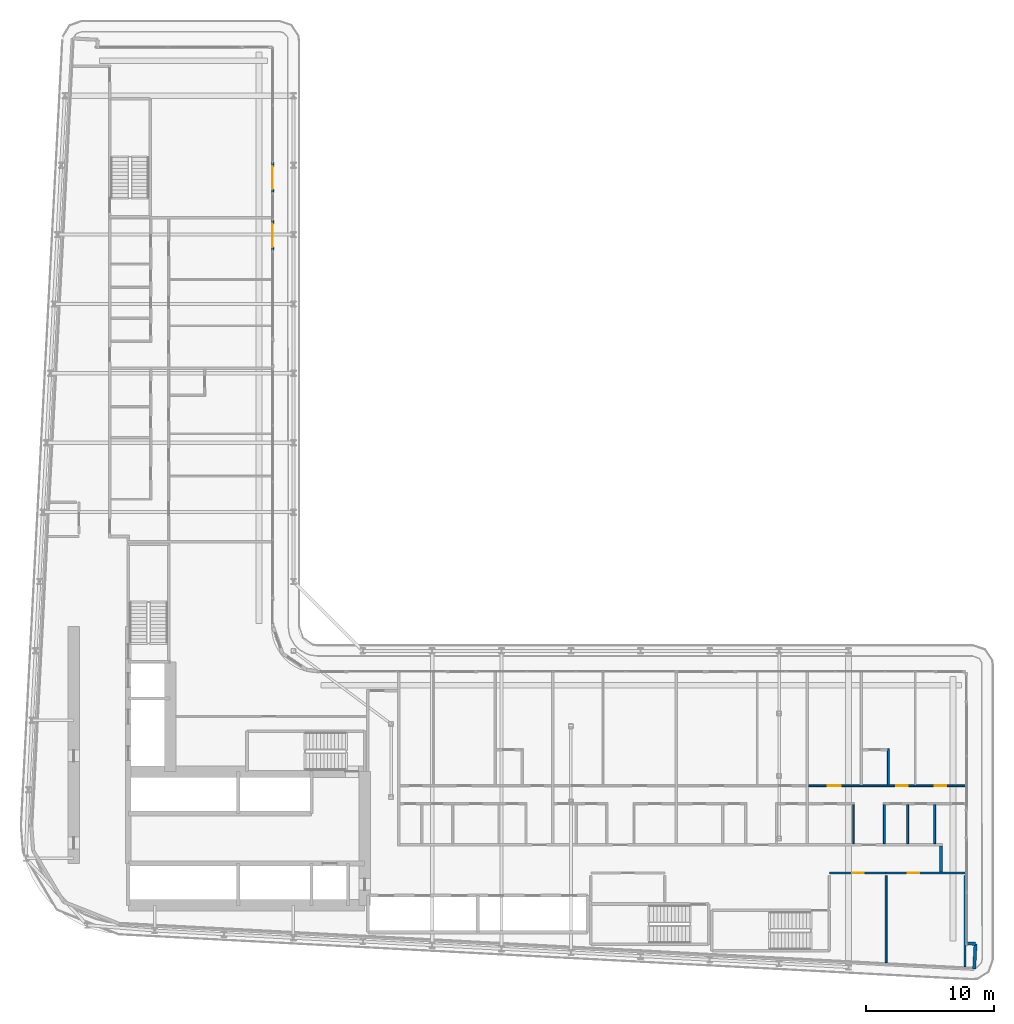
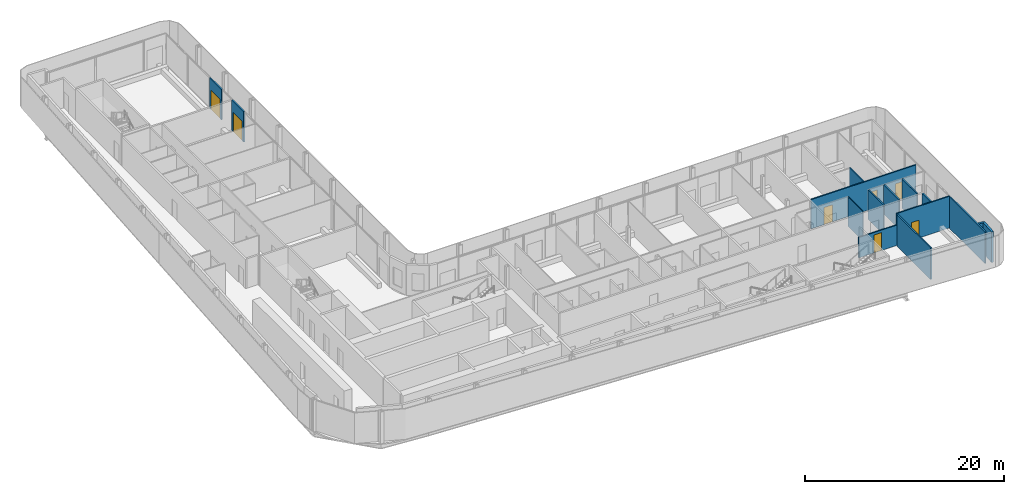
# One storey, part 17 of 26: 15 walls, 7 doors, 7 openings.
"""IFC4 building model written with IfcOpenShell, lengths in metres."""

from ifc_helpers import new_model, si_unit, direction, frame, frame_2d, origin, place, context, subcontext, project, spatial, rectangle, extrude, source, transform, mapped, material, layer, layer_set, type_object, element, fill, save


model = new_model("IFC4")

# Units and contexts
model_context = context("Model", 3, precision=1e-05, world=origin(), true_north=direction((0.0, 1.0)))
body_context = subcontext(model_context, "Body", "Model", "MODEL_VIEW")
ifc_project = project(units=[si_unit("LENGTHUNIT", "METRE"), si_unit("AREAUNIT", "SQUARE_METRE"), si_unit("VOLUMEUNIT", "CUBIC_METRE"), si_unit("PLANEANGLEUNIT", "RADIAN"), si_unit("MASSUNIT", "GRAM", prefix="KILO")], contexts=[model_context])

# Site, building, storey
site_placement = place(None, origin())
site = spatial("IfcSite", under=ifc_project, at=site_placement, CompositionType="ELEMENT")
building_placement = place(site_placement, origin())
building = spatial("IfcBuilding", under=site, at=building_placement, Name="Kheshtan School and Residences Tower", CompositionType="ELEMENT")
storey_placement = place(building_placement, frame((0.0, 0.0, 105.800048828125)))
storey = spatial("IfcBuildingStorey", under=building, at=storey_placement, Name="L24", CompositionType="ELEMENT", Elevation=105.800048828125)

# Walls
ifc_material_1 = material(Name="Gypsum board on steel studs with fire boards", Category="steel")
ifc_layer_1 = layer(ifc_material_1, 0.199951171875)
ifc_layer_set_1 = layer_set([ifc_layer_1], Name="Corridor wall 200")
wall_type_1 = type_object("IfcWallType", Name="Corridor wall 200", PredefinedType="PARTITIONING", material=ifc_layer_set_1)
wall_1_placement = place(storey_placement, frame((98.0, 28.3740234375, 0.0), z_axis=(0.0, 0.0, 1.0), x_axis=(0.0, 1.0, 0.0)))
element("IfcWall", 1, at=wall_1_placement, inside=storey, type_object=wall_type_1, Name="Partition L24-069", PredefinedType="PARTITIONING", context=body_context, shape_type="SweptSolid", body=[
    extrude(rectangle(XDim=2.02587890625, YDim=0.199951171875, at=frame_2d((1.012939453125, 0.0))), origin(), (0.0, 0.0, 1.0), 3.599853515625),
])
ifc_material_2 = material(Name="Concrete C40/50 with ceramic cladding and mineral wool insulation", Category="concrete")
ifc_layer_2 = layer(ifc_material_2, 0.25)
ifc_layer_set_2 = layer_set([ifc_layer_2], Name="External wall 250 ceramic clad")
wall_type_2 = type_object("IfcWallType", Name="External wall 250 ceramic clad", PredefinedType="SOLIDWALL", material=ifc_layer_set_2)
wall_2_placement = place(storey_placement, frame((99.906982421875, 22.839111328125, 0.0), z_axis=(0.0, 0.0, 1.0), x_axis=(0.998561284263, -0.053622398031, 0.0)))
element("IfcWall", 2, at=wall_2_placement, inside=storey, type_object=wall_type_2, Name="External wall L24 10", PredefinedType="SOLIDWALL", context=body_context, shape_type="SweptSolid", body=[
    extrude(rectangle(XDim=0.783203125, YDim=0.25, at=frame_2d((0.3916015625, 0.0))), origin(), (0.0, 0.0, 1.0), 3.75),
])
wall_3_placement = place(storey_placement, frame((100.68896484375, 22.797119140625, 0.0), z_axis=(0.0, 0.0, 1.0), x_axis=(-0.052841433274, -0.998602915542, 0.0)))
element("IfcWall", 3, at=wall_3_placement, inside=storey, type_object=wall_type_2, Name="External wall L24 11", PredefinedType="SOLIDWALL", context=body_context, shape_type="SweptSolid", body=[
    extrude(rectangle(XDim=1.94970703125, YDim=0.25, at=frame_2d((0.974853515625, 0.0))), origin(), (0.0, 0.0, 1.0), 3.75),
])

# Wall, opening, door
ifc_material_3 = material(Name="Aluminium frame wall with insulated infill", Category="aluminium")
ifc_layer_3 = layer(ifc_material_3, 0.14990234375)
ifc_layer_set_3 = layer_set([ifc_layer_3], Name="Glazing frame wall 150")
wall_type_3 = type_object("IfcWallType", Name="Glazing frame wall 150", PredefinedType="SOLIDWALL", material=ifc_layer_set_3)
wall_4_placement = place(storey_placement, frame((45.97509765625, 83.632080078125, 0.0), z_axis=(0.0, 0.0, 1.0), x_axis=(0.0, -1.0, 0.0)))
wall_4 = element("IfcWall", 4, at=wall_4_placement, inside=storey, type_object=wall_type_3, Name="Balcony door wall L24 4.1", PredefinedType="SOLIDWALL", context=body_context, shape_type="SweptSolid", body=[
    extrude(rectangle(XDim=2.399169921875, YDim=0.14990234375, at=frame_2d((1.19970703125, 0.0))), origin(), (0.0, 0.0, 1.0), 3.75),
])
opening_1_placement = place(wall_4_placement, frame((0.300048828125, 0.0, 0.0)))
opening_1 = element("IfcOpeningElement", 5, at=opening_1_placement, cuts=wall_4, Name="Opening BD", PredefinedType="OPENING", context=body_context, shape_type="SweptSolid", body=[
    extrude(rectangle(XDim=1.800048828125, YDim=2.39990234375, at=frame_2d((0.89990234375, 1.199951171875))), frame((0.0, 0.0849609375, 0.0), z_axis=(0.0, -1.0, 0.0), x_axis=(1.0, 0.0, 0.0)), (0.0, 0.0, 1.0), 0.169921875),
])
ifc_material_4 = material(Name="Clear low-e glass in thermally broken aluminium frame", Category="aluminium")
door_type_1 = type_object("IfcDoorType", Name="Balcony sliding door", OperationType="SLIDING_TO_LEFT", PredefinedType="DOOR", material=ifc_material_4)
shared_shape_1 = source(origin(), body_context, "Body", "SweptSolid", [
    extrude(rectangle(XDim=1.800048828125, YDim=2.39990234375, at=frame_2d((0.89990234375, 1.199951171875))), frame((0.0, 0.02490234375, 0.0), z_axis=(0.0, -1.0, 0.0), x_axis=(1.0, 0.0, 0.0)), (0.0, 0.0, 1.0), 0.050048828125),
])
door_1_placement = place(opening_1_placement, origin())
door_1 = element("IfcDoor", 6, at=door_1_placement, inside=storey, type_object=door_type_1, Name="Balcony door L24 4.1", OperationType="SLIDING_TO_LEFT", OverallHeight=2.39990234375, OverallWidth=1.800048828125, PredefinedType="DOOR", context=body_context, shape_type="MappedRepresentation", body=[
    mapped(shared_shape_1, transform((0.0, 0.0, 0.0), x_axis=(1.0, 0.0, 0.0), y_axis=(0.0, 1.0, 0.0), z_axis=(0.0, 0.0, 1.0), scale=1.0)),
])
fill(opening_1, door_1)

wall_5_placement = place(storey_placement, frame((45.97509765625, 79.132080078125, 0.0), z_axis=(0.0, 0.0, 1.0), x_axis=(0.0, -1.0, 0.0)))
wall_5 = element("IfcWall", 7, at=wall_5_placement, inside=storey, type_object=wall_type_3, Name="Balcony door wall L24 4.2", PredefinedType="SOLIDWALL", context=body_context, shape_type="SweptSolid", body=[
    extrude(rectangle(XDim=2.399169921875, YDim=0.14990234375, at=frame_2d((1.19970703125, 0.0))), origin(), (0.0, 0.0, 1.0), 3.75),
])
opening_2_placement = place(wall_5_placement, frame((0.300048828125, 0.0, 0.0)))
opening_2 = element("IfcOpeningElement", 8, at=opening_2_placement, cuts=wall_5, Name="Opening BD", PredefinedType="OPENING", context=body_context, shape_type="SweptSolid", body=[
    extrude(rectangle(XDim=1.800048828125, YDim=2.39990234375, at=frame_2d((0.89990234375, 1.199951171875))), frame((0.0, 0.0849609375, 0.0), z_axis=(0.0, -1.0, 0.0), x_axis=(1.0, 0.0, 0.0)), (0.0, 0.0, 1.0), 0.169921875),
])
door_2_placement = place(opening_2_placement, origin())
door_2 = element("IfcDoor", 9, at=door_2_placement, inside=storey, type_object=door_type_1, Name="Balcony door L24 4.2", OperationType="SLIDING_TO_LEFT", OverallHeight=2.39990234375, OverallWidth=1.800048828125, PredefinedType="DOOR", context=body_context, shape_type="MappedRepresentation", body=[
    mapped(shared_shape_1, transform((0.0, 0.0, 0.0), x_axis=(1.0, 0.0, 0.0), y_axis=(0.0, 1.0, 0.0), z_axis=(0.0, 0.0, 1.0), scale=1.0)),
])
fill(opening_2, door_2)

# Wall
ifc_material_5 = material(Name="Gypsum board on steel studs", Category="steel")
ifc_layer_4 = layer(ifc_material_5, 0.10009765625)
ifc_layer_set_4 = layer_set([ifc_layer_4], Name="Gypsum partition 100")
wall_type_4 = type_object("IfcWallType", Name="Gypsum partition 100", PredefinedType="PARTITIONING", material=ifc_layer_set_4)
wall_6_placement = place(storey_placement, frame((91.199951171875, 30.60009765625, 0.0), z_axis=(0.0, 0.0, 1.0), x_axis=(0.0, 1.0, 0.0)))
element("IfcWall", 10, at=wall_6_placement, inside=storey, type_object=wall_type_4, Name="Partition L24-060", PredefinedType="PARTITIONING", context=body_context, shape_type="SweptSolid", body=[
    extrude(rectangle(XDim=3.02490234375, YDim=0.10009765625, at=frame_2d((1.512451171875, 0.0))), origin(), (0.0, 0.0, 1.0), 3.599853515625),
])

# Wall, opening, door
ifc_material_6 = material(Name="Fire-board shaft wall system")
ifc_layer_5 = layer(ifc_material_6, 0.14990234375)
ifc_layer_set_5 = layer_set([ifc_layer_5], Name="Service room wall 150")
wall_type_5 = type_object("IfcWallType", Name="Service room wall 150", PredefinedType="PARTITIONING", material=ifc_layer_set_5)
wall_7_placement = place(storey_placement, frame((89.320068359375, 28.300048828125, 0.0), z_axis=(0.0, 0.0, 1.0), x_axis=(1.0, 0.0, 0.0)))
wall_7 = element("IfcWall", 11, at=wall_7_placement, inside=storey, type_object=wall_type_5, Name="Service room wall", PredefinedType="PARTITIONING", context=body_context, shape_type="SweptSolid", body=[
    extrude(rectangle(XDim=4.412841796875, YDim=0.14990234375, at=frame_2d((2.20654296875, 0.0))), origin(), (0.0, 0.0, 1.0), 2.5),
])
opening_3_placement = place(wall_7_placement, frame((1.756103515625, 0.0, 0.0)))
opening_3 = element("IfcOpeningElement", 12, at=opening_3_placement, cuts=wall_7, Name="Opening SR90", PredefinedType="OPENING", context=body_context, shape_type="SweptSolid", body=[
    extrude(rectangle(XDim=0.89990234375, YDim=2.199951171875, at=frame_2d((0.449951171875, 1.10009765625))), frame((0.0, 0.0849609375, 0.0), z_axis=(0.0, -1.0, 0.0), x_axis=(1.0, 0.0, 0.0)), (0.0, 0.0, 1.0), 0.169921875),
])
ifc_material_7 = material(Name="Steel door leaf, galvanised", Category="steel")
door_type_2 = type_object("IfcDoorType", Name="Service room door 900 steel 90 min", OperationType="SINGLE_SWING_LEFT", PredefinedType="DOOR", material=ifc_material_7)
shared_shape_2 = source(origin(), body_context, "Body", "SweptSolid", [
    extrude(rectangle(XDim=0.89990234375, YDim=2.199951171875, at=frame_2d((0.449951171875, 1.10009765625))), frame((0.0, 0.02490234375, 0.0), z_axis=(0.0, -1.0, 0.0), x_axis=(1.0, 0.0, 0.0)), (0.0, 0.0, 1.0), 0.050048828125),
])
door_3_placement = place(opening_3_placement, origin())
door_3 = element("IfcDoor", 13, at=door_3_placement, inside=storey, type_object=door_type_2, Name="Service room door", OperationType="SINGLE_SWING_LEFT", OverallHeight=2.199951171875, OverallWidth=0.89990234375, PredefinedType="DOOR", context=body_context, shape_type="MappedRepresentation", body=[
    mapped(shared_shape_2, transform((0.0, 0.0, 0.0), x_axis=(1.0, 0.0, 0.0), y_axis=(0.0, 1.0, 0.0), z_axis=(0.0, 0.0, 1.0), scale=1.0)),
])
fill(opening_3, door_3)

# Wall
wall_8_placement = place(storey_placement, frame((93.73291015625, 21.337890625, 0.0), z_axis=(0.0, 0.0, 1.0), x_axis=(0.0, 1.0, 0.0)))
element("IfcWall", 14, at=wall_8_placement, inside=storey, type_object=wall_type_5, Name="Service room wall", PredefinedType="PARTITIONING", context=body_context, shape_type="SweptSolid", body=[
    extrude(rectangle(XDim=6.76708984375, YDim=0.14990234375, at=frame_2d((3.383544921875, 0.0))), origin(), (0.0, 0.0, 1.0), 3.89990234375),
])

# Wall, opening, door
wall_9_placement = place(storey_placement, frame((93.73291015625, 28.300048828125, 0.0), z_axis=(0.0, 0.0, 1.0), x_axis=(1.0, 0.0, 0.0)))
wall_9 = element("IfcWall", 15, at=wall_9_placement, inside=storey, type_object=wall_type_5, Name="Service room wall", PredefinedType="PARTITIONING", context=body_context, shape_type="SweptSolid", body=[
    extrude(rectangle(XDim=6.1650390625, YDim=0.14990234375, at=frame_2d((3.08251953125, 0.0))), origin(), (0.0, 0.0, 1.0), 3.89990234375),
])
opening_4_placement = place(wall_9_placement, frame((1.68310546875, 0.0, 0.0)))
opening_4 = element("IfcOpeningElement", 16, at=opening_4_placement, cuts=wall_9, Name="Opening SR90", PredefinedType="OPENING", context=body_context, shape_type="SweptSolid", body=[
    extrude(rectangle(XDim=0.89990234375, YDim=2.199951171875, at=frame_2d((0.449951171875, 1.10009765625))), frame((0.0, 0.0849609375, 0.0), z_axis=(0.0, -1.0, 0.0), x_axis=(1.0, 0.0, 0.0)), (0.0, 0.0, 1.0), 0.169921875),
])
door_4_placement = place(opening_4_placement, origin())
door_4 = element("IfcDoor", 17, at=door_4_placement, inside=storey, type_object=door_type_2, Name="Service room door", OperationType="SINGLE_SWING_RIGHT", OverallHeight=2.199951171875, OverallWidth=0.89990234375, PredefinedType="DOOR", context=body_context, shape_type="MappedRepresentation", body=[
    mapped(shared_shape_2, transform((0.0, 0.0, 0.0), x_axis=(1.0, 0.0, 0.0), y_axis=(0.0, 1.0, 0.0), z_axis=(0.0, 0.0, 1.0), scale=1.0)),
])
fill(opening_4, door_4)

# Wall
wall_10_placement = place(storey_placement, frame((99.8701171875, 21.014892578125, 0.0), z_axis=(0.0, 0.0, 1.0), x_axis=(0.0, 1.0, 0.0)))
element("IfcWall", 18, at=wall_10_placement, inside=storey, type_object=wall_type_5, Name="Service room wall", PredefinedType="PARTITIONING", context=body_context, shape_type="SweptSolid", body=[
    extrude(rectangle(XDim=7.090087890625, YDim=0.14990234375, at=frame_2d((3.544921875, 0.0))), origin(), (0.0, 0.0, 1.0), 3.89990234375),
])

# Wall, openings, doors
ifc_material_8 = material(Name="Moisture-resistant gypsum board on steel studs", Category="steel")
ifc_layer_6 = layer(ifc_material_8, 0.14990234375)
ifc_layer_set_6 = layer_set([ifc_layer_6], Name="Wet-room partition 150")
wall_type_6 = type_object("IfcWallType", Name="Wet-room partition 150", PredefinedType="PARTITIONING", material=ifc_layer_set_6)
wall_11_placement = place(storey_placement, frame((87.699951171875, 35.10009765625, 0.0), z_axis=(0.0, 0.0, 1.0), x_axis=(1.0, 0.0, 0.0)))
wall_11 = element("IfcWall", 19, at=wall_11_placement, inside=storey, type_object=wall_type_6, Name="Partition L24-059", PredefinedType="PARTITIONING", context=body_context, shape_type="SweptSolid", body=[
    extrude(rectangle(XDim=12.199951171875, YDim=0.14990234375, at=frame_2d((6.10009765625, 0.0))), origin(), (0.0, 0.0, 1.0), 3.599853515625),
])
opening_5_placement = place(wall_11_placement, frame((9.800048828125, 0.0, 0.0)))
opening_5 = element("IfcOpeningElement", 20, at=opening_5_placement, cuts=wall_11, Name="Opening D23-023", PredefinedType="OPENING", context=body_context, shape_type="SweptSolid", body=[
    extrude(rectangle(XDim=0.89990234375, YDim=2.10009765625, at=frame_2d((0.449951171875, 1.050048828125))), frame((0.0, 0.0849609375, 0.0), z_axis=(0.0, -1.0, 0.0), x_axis=(1.0, 0.0, 0.0)), (0.0, 0.0, 1.0), 0.169921875),
])
opening_6_placement = place(wall_11_placement, frame((1.5, 0.0, 0.0)))
opening_6 = element("IfcOpeningElement", 21, at=opening_6_placement, cuts=wall_11, Name="Opening D23-028", PredefinedType="OPENING", context=body_context, shape_type="SweptSolid", body=[
    extrude(rectangle(XDim=1.0, YDim=2.10009765625, at=frame_2d((0.5, 1.050048828125))), frame((0.0, 0.0849609375, 0.0), z_axis=(0.0, -1.0, 0.0), x_axis=(1.0, 0.0, 0.0)), (0.0, 0.0, 1.0), 0.169921875),
])
opening_7_placement = place(wall_11_placement, frame((6.800048828125, 0.0, 0.0)))
opening_7 = element("IfcOpeningElement", 22, at=opening_7_placement, cuts=wall_11, Name="Opening D23-029", PredefinedType="OPENING", context=body_context, shape_type="SweptSolid", body=[
    extrude(rectangle(XDim=0.89990234375, YDim=2.10009765625, at=frame_2d((0.449951171875, 1.050048828125))), frame((0.0, 0.0849609375, 0.0), z_axis=(0.0, -1.0, 0.0), x_axis=(1.0, 0.0, 0.0)), (0.0, 0.0, 1.0), 0.169921875),
])
ifc_material_9 = material(Name="Veneered timber door leaf", Category="wood")
door_type_3 = type_object("IfcDoorType", Name="Door 1000 x 2100", OperationType="SINGLE_SWING_LEFT", PredefinedType="DOOR", material=ifc_material_9)
shared_shape_3 = source(origin(), body_context, "Body", "SweptSolid", [
    extrude(rectangle(XDim=1.0, YDim=2.10009765625, at=frame_2d((0.5, 1.050048828125))), frame((0.0, 0.02490234375, 0.0), z_axis=(0.0, -1.0, 0.0), x_axis=(1.0, 0.0, 0.0)), (0.0, 0.0, 1.0), 0.050048828125),
])
door_5_placement = place(opening_6_placement, origin())
door_5 = element("IfcDoor", 23, at=door_5_placement, inside=storey, type_object=door_type_3, Name="Door D23-028", OperationType="SINGLE_SWING_RIGHT", OverallHeight=2.10009765625, OverallWidth=1.0, PredefinedType="DOOR", context=body_context, shape_type="MappedRepresentation", body=[
    mapped(shared_shape_3, transform((0.0, 0.0, 0.0), x_axis=(1.0, 0.0, 0.0), y_axis=(0.0, 1.0, 0.0), z_axis=(0.0, 0.0, 1.0), scale=1.0)),
])
fill(opening_6, door_5)
door_type_4 = type_object("IfcDoorType", Name="Door 900 x 2100", OperationType="SINGLE_SWING_LEFT", PredefinedType="DOOR", material=ifc_material_9)
shared_shape_4 = source(origin(), body_context, "Body", "SweptSolid", [
    extrude(rectangle(XDim=0.89990234375, YDim=2.10009765625, at=frame_2d((0.449951171875, 1.050048828125))), frame((0.0, 0.02490234375, 0.0), z_axis=(0.0, -1.0, 0.0), x_axis=(1.0, 0.0, 0.0)), (0.0, 0.0, 1.0), 0.050048828125),
])
door_6_placement = place(opening_5_placement, origin())
door_6 = element("IfcDoor", 24, at=door_6_placement, inside=storey, type_object=door_type_4, Name="Door D23-023", OperationType="SINGLE_SWING_LEFT", OverallHeight=2.10009765625, OverallWidth=0.89990234375, PredefinedType="DOOR", context=body_context, shape_type="MappedRepresentation", body=[
    mapped(shared_shape_4, transform((0.0, 0.0, 0.0), x_axis=(1.0, 0.0, 0.0), y_axis=(0.0, 1.0, 0.0), z_axis=(0.0, 0.0, 1.0), scale=1.0)),
])
fill(opening_5, door_6)
door_7_placement = place(opening_7_placement, origin())
door_7 = element("IfcDoor", 25, at=door_7_placement, inside=storey, type_object=door_type_4, Name="Door D23-029", OperationType="SINGLE_SWING_LEFT", OverallHeight=2.10009765625, OverallWidth=0.89990234375, PredefinedType="DOOR", context=body_context, shape_type="MappedRepresentation", body=[
    mapped(shared_shape_4, transform((0.0, 0.0, 0.0), x_axis=(1.0, 0.0, 0.0), y_axis=(0.0, 1.0, 0.0), z_axis=(0.0, 0.0, 1.0), scale=1.0)),
])
fill(opening_7, door_7)

# Walls
wall_12_placement = place(storey_placement, frame((93.60009765625, 30.60009765625, 0.0), z_axis=(0.0, 0.0, 1.0), x_axis=(0.0, 1.0, 0.0)))
element("IfcWall", 26, at=wall_12_placement, inside=storey, type_object=wall_type_6, Name="Partition L24-064", PredefinedType="PARTITIONING", context=body_context, shape_type="SweptSolid", body=[
    extrude(rectangle(XDim=3.02490234375, YDim=0.14990234375, at=frame_2d((1.512451171875, 0.0))), origin(), (0.0, 0.0, 1.0), 3.599853515625),
])
wall_13_placement = place(storey_placement, frame((93.89990234375, 35.175048828125, 0.0), z_axis=(0.0, 0.0, 1.0), x_axis=(0.0, 1.0, 0.0)))
element("IfcWall", 27, at=wall_13_placement, inside=storey, type_object=wall_type_6, Name="Partition L24-065", PredefinedType="PARTITIONING", context=body_context, shape_type="SweptSolid", body=[
    extrude(rectangle(XDim=2.800048828125, YDim=0.14990234375, at=frame_2d((1.39990234375, 0.0))), origin(), (0.0, 0.0, 1.0), 3.599853515625),
])
for number, where, z_axis, x_axis, name in (
    (28, (95.39990234375, 30.60009765625, 0.0), (0.0, 0.0, 1.0), (0.0, 1.0, 0.0), "Partition L24-066"),
    (29, (97.5, 30.60009765625, 0.0), (0.0, 0.0, 1.0), (0.0, 1.0, 0.0), "Partition L24-068"),
):
    element("IfcWall", number, at=place(storey_placement, frame(where, z_axis=z_axis, x_axis=x_axis)), inside=storey, type_object=wall_type_6, Name=name, PredefinedType="PARTITIONING", context=body_context, shape_type="SweptSolid", body=[
        extrude(rectangle(XDim=3.02490234375, YDim=0.14990234375, at=frame_2d((1.512451171875, 0.0))), origin(), (0.0, 0.0, 1.0), 3.599853515625),
    ])

save(model, "model.ifc")
